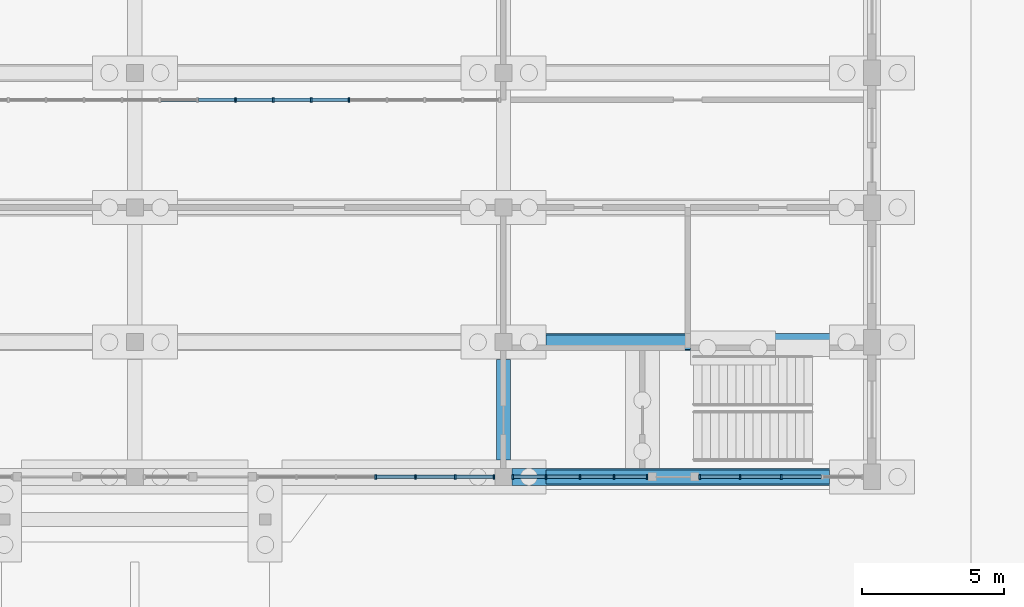
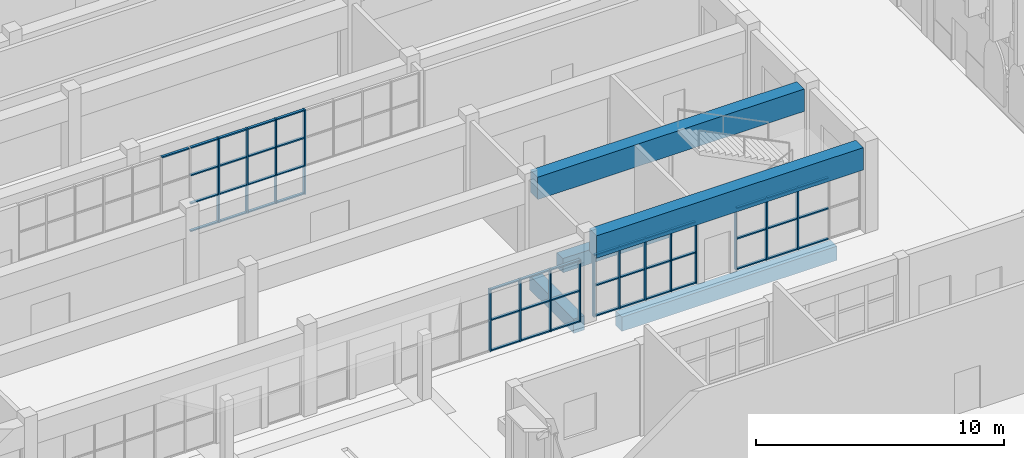
# One storey, part 18 of 161: 63 members, 5 beams, 4 elements without a shape of their own.
"""IFC4 building model written with IfcOpenShell, lengths in metres."""

from ifc_helpers import new_model, si_unit, direction, frame, origin, origin_2d, place, context, subcontext, project, spatial, rectangle, extrude, material, material_profile, profile_set, type_object, element, aggregate, save


model = new_model("IFC4")

# Units and contexts
model_context = context("Model", 3, precision=1e-05, world=origin(), true_north=direction((0.0, 1.0)))
body_context = subcontext(model_context, "Body", "Model", "MODEL_VIEW")
ifc_project = project(units=[si_unit("LENGTHUNIT", "METRE"), si_unit("AREAUNIT", "SQUARE_METRE"), si_unit("VOLUMEUNIT", "CUBIC_METRE"), si_unit("PLANEANGLEUNIT", "RADIAN"), si_unit("MASSUNIT", "GRAM", prefix="KILO")], contexts=[model_context])

# Site, building, storey
site_placement = place(None, origin())
site = spatial("IfcSite", under=ifc_project, at=site_placement, CompositionType="ELEMENT")
building_placement = place(site_placement, origin())
building = spatial("IfcBuilding", under=site, at=building_placement, Name="Elbe Cascade School", CompositionType="ELEMENT")
storey_placement = place(building_placement, origin())
storey = spatial("IfcBuildingStorey", under=building, at=storey_placement, Name="L00", CompositionType="ELEMENT", Elevation=0.0)

# Beams
ifc_material_1 = material(Name="Concrete C30/37", Category="concrete")
ifc_material_profile_1 = material_profile(ifc_material_1, rectangle(XDim=0.5, YDim=0.699951171875, at=origin_2d()), Name="RC 500x700")
ifc_profile_set_1 = profile_set([ifc_material_profile_1], Name="Concrete C30/37")
beam_type_1 = type_object("IfcBeamType", Name="Found ground beam RC 500x700", PredefinedType="BEAM", material=ifc_profile_set_1)
beam_1_placement = place(storey_placement, frame((48.5, 41.0, -0.64990234375), z_axis=(1.0, 0.0, 0.0), x_axis=(0.0, 1.0, 0.0)))
element("IfcBeam", 1, at=beam_1_placement, inside=storey, type_object=beam_type_1, Name="Ground beam 330", PredefinedType="BEAM", context=body_context, shape_type="SweptSolid", body=[
    extrude(rectangle(XDim=0.5, YDim=0.699951171875, at=origin_2d()), origin(), (0.0, 0.0, 1.0), 10.0),
])
beam_2_placement = place(storey_placement, frame((48.5, 45.75, -0.64990234375), z_axis=(1.0, 0.0, 0.0), x_axis=(0.0, 1.0, 0.0)))
element("IfcBeam", 2, at=beam_2_placement, inside=storey, type_object=beam_type_1, Name="Ground beam 334", PredefinedType="BEAM", context=body_context, shape_type="SweptSolid", body=[
    extrude(rectangle(XDim=0.5, YDim=0.699951171875, at=origin_2d()), origin(), (0.0, 0.0, 1.0), 5.10009765625),
])
beam_3_placement = place(storey_placement, frame((47.0, 41.60009765625, -0.64990234375), z_axis=(0.0, 1.0, 0.0), x_axis=(-1.0, 0.0, 0.0)))
element("IfcBeam", 3, at=beam_3_placement, inside=storey, type_object=beam_type_1, Name="Ground beam 367", PredefinedType="BEAM", context=body_context, shape_type="SweptSolid", body=[
    extrude(rectangle(XDim=0.5, YDim=0.699951171875, at=origin_2d()), origin(), (0.0, 0.0, 1.0), 3.5498046875),
])
ifc_material_2 = material(Name="Concrete C35/45", Category="concrete")
ifc_material_profile_2 = material_profile(ifc_material_2, rectangle(XDim=0.60009765625, YDim=1.10009765625, at=origin_2d()), Name="RC 600x1100")
ifc_profile_set_2 = profile_set([ifc_material_profile_2], Name="Concrete C35/45")
beam_type_2 = type_object("IfcBeamType", Name="Hall floor beam RC 600x1100", PredefinedType="BEAM", material=ifc_profile_set_2)
for number, where, z_axis, x_axis, name in (
    (4, (47.300048828125, 41.0, 3.60009765625), (1.0, 0.0, 0.0), (0.0, 1.0, 0.0), "Hall floor beam RC 600x1100 B13"),
    (5, (47.300048828125, 45.75, 3.60009765625), (1.0, 0.0, 0.0), (0.0, 1.0, 0.0), "Hall floor beam RC 600x1100 B13"),
):
    element("IfcBeam", number, at=place(storey_placement, frame(where, z_axis=z_axis, x_axis=x_axis)), inside=storey, type_object=beam_type_2, Name=name, PredefinedType="BEAM", context=body_context, shape_type="SweptSolid", body=[
        extrude(rectangle(XDim=0.60009765625, YDim=1.10009765625, at=origin_2d()), origin(), (0.0, 0.0, 1.0), 12.39990234375),
    ])

# Curtain wall, members
ifc_material_3 = material(Name="Glass - double glazed low-E", Category="glass")
curtain_wall_type = type_object("IfcCurtainWallType", Name="Hall gable curtain wall", PredefinedType="NOTDEFINED", material=ifc_material_3)
curtain_wall_1_placement = place(storey_placement, origin())
curtain_wall_1 = element("IfcCurtainWall", 6, at=curtain_wall_1_placement, inside=storey, type_object=curtain_wall_type, Name="Entrance front curtain wall 6", PredefinedType="NOTDEFINED")
ifc_material_4 = material(Name="Aluminium - bronze anodised", Category="aluminium")
ifc_material_profile_3 = material_profile(ifc_material_4, rectangle(XDim=0.159912109375, YDim=0.06005859375, at=origin_2d()), Name="Alu 60x160")
ifc_profile_set_3 = profile_set([ifc_material_profile_3], Name="Aluminium - bronze anodised")
member_type_1 = type_object("IfcMemberType", Name="Hall gable mullion 60x160", PredefinedType="MULLION", material=ifc_profile_set_3)
member_1_placement = place(storey_placement, frame((42.5, 41.0, 0.0), z_axis=(0.0, 0.0, 1.0), x_axis=(0.0, 1.0, 0.0)))
member_1 = element("IfcMember", 7, at=member_1_placement, type_object=member_type_1, Name="CW6 mullion 4", PredefinedType="MULLION", context=body_context, shape_type="SweptSolid", body=[
    extrude(rectangle(XDim=0.159912109375, YDim=0.06005859375, at=origin_2d()), origin(), (0.0, 0.0, 1.0), 3.050048828125),
])
member_2_placement = place(storey_placement, frame((43.89990234375, 41.0, 0.0), z_axis=(0.0, 0.0, 1.0), x_axis=(0.0, 1.0, 0.0)))
member_2 = element("IfcMember", 8, at=member_2_placement, type_object=member_type_1, Name="CW6 mullion 5", PredefinedType="MULLION", context=body_context, shape_type="SweptSolid", body=[
    extrude(rectangle(XDim=0.159912109375, YDim=0.06005859375, at=origin_2d()), origin(), (0.0, 0.0, 1.0), 3.050048828125),
])
member_3_placement = place(storey_placement, frame((45.300048828125, 41.0, 0.0), z_axis=(0.0, 0.0, 1.0), x_axis=(0.0, 1.0, 0.0)))
member_3 = element("IfcMember", 9, at=member_3_placement, type_object=member_type_1, Name="CW6 mullion 6", PredefinedType="MULLION", context=body_context, shape_type="SweptSolid", body=[
    extrude(rectangle(XDim=0.159912109375, YDim=0.06005859375, at=origin_2d()), origin(), (0.0, 0.0, 1.0), 3.050048828125),
])
member_4_placement = place(storey_placement, frame((46.669921875, 41.0, 0.0), z_axis=(0.0, 0.0, 1.0), x_axis=(0.0, 1.0, 0.0)))
member_4 = element("IfcMember", 10, at=member_4_placement, type_object=member_type_1, Name="CW6 mullion 7", PredefinedType="MULLION", context=body_context, shape_type="SweptSolid", body=[
    extrude(rectangle(XDim=0.159912109375, YDim=0.06005859375, at=origin_2d()), origin(), (0.0, 0.0, 1.0), 3.050048828125),
])

curtain_wall_2_placement = place(storey_placement, origin())
curtain_wall_2 = element("IfcCurtainWall", 11, at=curtain_wall_2_placement, inside=storey, type_object=curtain_wall_type, Name="Entrance front curtain wall 7", PredefinedType="NOTDEFINED")
member_5_placement = place(storey_placement, frame((47.330078125, 41.0, 0.0), z_axis=(0.0, 0.0, 1.0), x_axis=(0.0, 1.0, 0.0)))
member_5 = element("IfcMember", 12, at=member_5_placement, type_object=member_type_1, Name="CW6 mullion 1", PredefinedType="MULLION", context=body_context, shape_type="SweptSolid", body=[
    extrude(rectangle(XDim=0.159912109375, YDim=0.06005859375, at=origin_2d()), origin(), (0.0, 0.0, 1.0), 3.050048828125),
])
member_6_placement = place(storey_placement, frame((48.5, 41.0, 0.0), z_axis=(0.0, 0.0, 1.0), x_axis=(0.0, 1.0, 0.0)))
member_6 = element("IfcMember", 13, at=member_6_placement, type_object=member_type_1, Name="CW6 mullion 2", PredefinedType="MULLION", context=body_context, shape_type="SweptSolid", body=[
    extrude(rectangle(XDim=0.159912109375, YDim=0.06005859375, at=origin_2d()), origin(), (0.0, 0.0, 1.0), 3.050048828125),
])
member_7_placement = place(storey_placement, frame((49.699951171875, 41.0, 0.0), z_axis=(0.0, 0.0, 1.0), x_axis=(0.0, 1.0, 0.0)))
member_7 = element("IfcMember", 14, at=member_7_placement, type_object=member_type_1, Name="CW6 mullion 3", PredefinedType="MULLION", context=body_context, shape_type="SweptSolid", body=[
    extrude(rectangle(XDim=0.159912109375, YDim=0.06005859375, at=origin_2d()), origin(), (0.0, 0.0, 1.0), 3.050048828125),
])
member_8_placement = place(storey_placement, frame((50.89990234375, 41.0, 0.0), z_axis=(0.0, 0.0, 1.0), x_axis=(0.0, 1.0, 0.0)))
member_8 = element("IfcMember", 15, at=member_8_placement, type_object=member_type_1, Name="CW6 mullion 4", PredefinedType="MULLION", context=body_context, shape_type="SweptSolid", body=[
    extrude(rectangle(XDim=0.159912109375, YDim=0.06005859375, at=origin_2d()), origin(), (0.0, 0.0, 1.0), 3.050048828125),
])
member_9_placement = place(storey_placement, frame((52.070068359375, 41.0, 0.0), z_axis=(0.0, 0.0, 1.0), x_axis=(0.0, 1.0, 0.0)))
member_9 = element("IfcMember", 16, at=member_9_placement, type_object=member_type_1, Name="CW6 mullion 5", PredefinedType="MULLION", context=body_context, shape_type="SweptSolid", body=[
    extrude(rectangle(XDim=0.159912109375, YDim=0.06005859375, at=origin_2d()), origin(), (0.0, 0.0, 1.0), 3.050048828125),
])

curtain_wall_3_placement = place(storey_placement, origin())
curtain_wall_3 = element("IfcCurtainWall", 17, at=curtain_wall_3_placement, inside=storey, type_object=curtain_wall_type, Name="Entrance front curtain wall 8", PredefinedType="NOTDEFINED")
member_10_placement = place(storey_placement, frame((53.929931640625, 41.0, 0.0), z_axis=(0.0, 0.0, 1.0), x_axis=(0.0, 1.0, 0.0)))
member_10 = element("IfcMember", 18, at=member_10_placement, type_object=member_type_1, Name="CW6 mullion 1", PredefinedType="MULLION", context=body_context, shape_type="SweptSolid", body=[
    extrude(rectangle(XDim=0.159912109375, YDim=0.06005859375, at=origin_2d()), origin(), (0.0, 0.0, 1.0), 3.050048828125),
])
member_11_placement = place(storey_placement, frame((55.35009765625, 41.0, 0.0), z_axis=(0.0, 0.0, 1.0), x_axis=(0.0, 1.0, 0.0)))
member_11 = element("IfcMember", 19, at=member_11_placement, type_object=member_type_1, Name="CW6 mullion 2", PredefinedType="MULLION", context=body_context, shape_type="SweptSolid", body=[
    extrude(rectangle(XDim=0.159912109375, YDim=0.06005859375, at=origin_2d()), origin(), (0.0, 0.0, 1.0), 3.050048828125),
])
member_12_placement = place(storey_placement, frame((56.800048828125, 41.0, 0.0), z_axis=(0.0, 0.0, 1.0), x_axis=(0.0, 1.0, 0.0)))
member_12 = element("IfcMember", 20, at=member_12_placement, type_object=member_type_1, Name="CW6 mullion 3", PredefinedType="MULLION", context=body_context, shape_type="SweptSolid", body=[
    extrude(rectangle(XDim=0.159912109375, YDim=0.06005859375, at=origin_2d()), origin(), (0.0, 0.0, 1.0), 3.050048828125),
])

curtain_wall_4_placement = place(storey_placement, origin())
curtain_wall_4 = element("IfcCurtainWall", 21, at=curtain_wall_4_placement, inside=storey, type_object=curtain_wall_type, Name="Studio front curtain wall 2", PredefinedType="NOTDEFINED")
member_13_placement = place(storey_placement, frame((37.550048828125, 54.300048828125, 0.0), z_axis=(0.0, 0.0, 1.0), x_axis=(0.0, 1.0, 0.0)))
member_13 = element("IfcMember", 22, at=member_13_placement, type_object=member_type_1, Name="CW6 mullion 8", PredefinedType="MULLION", context=body_context, shape_type="SweptSolid", body=[
    extrude(rectangle(XDim=0.159912109375, YDim=0.06005859375, at=origin_2d()), origin(), (0.0, 0.0, 1.0), 4.14990234375),
])
member_14_placement = place(storey_placement, frame((38.8857421875, 54.300048828125, 0.0), z_axis=(0.0, 0.0, 1.0), x_axis=(0.0, 1.0, 0.0)))
member_14 = element("IfcMember", 23, at=member_14_placement, type_object=member_type_1, Name="CW6 mullion 9", PredefinedType="MULLION", context=body_context, shape_type="SweptSolid", body=[
    extrude(rectangle(XDim=0.159912109375, YDim=0.06005859375, at=origin_2d()), origin(), (0.0, 0.0, 1.0), 4.14990234375),
])
member_15_placement = place(storey_placement, frame((40.221435546875, 54.300048828125, 0.0), z_axis=(0.0, 0.0, 1.0), x_axis=(0.0, 1.0, 0.0)))
member_15 = element("IfcMember", 24, at=member_15_placement, type_object=member_type_1, Name="CW6 mullion 10", PredefinedType="MULLION", context=body_context, shape_type="SweptSolid", body=[
    extrude(rectangle(XDim=0.159912109375, YDim=0.06005859375, at=origin_2d()), origin(), (0.0, 0.0, 1.0), 4.14990234375),
])
member_16_placement = place(storey_placement, frame((41.55712890625, 54.300048828125, 0.0), z_axis=(0.0, 0.0, 1.0), x_axis=(0.0, 1.0, 0.0)))
member_16 = element("IfcMember", 25, at=member_16_placement, type_object=member_type_1, Name="CW6 mullion 11", PredefinedType="MULLION", context=body_context, shape_type="SweptSolid", body=[
    extrude(rectangle(XDim=0.159912109375, YDim=0.06005859375, at=origin_2d()), origin(), (0.0, 0.0, 1.0), 4.14990234375),
])

# Member
ifc_material_5 = material(Name="Aluminium - bronze anodised", Category="aluminium")
ifc_material_profile_4 = material_profile(ifc_material_5, rectangle(XDim=0.1201171875, YDim=0.06005859375, at=origin_2d()), Name="Alu 60x120")
ifc_profile_set_4 = profile_set([ifc_material_profile_4], Name="Aluminium - bronze anodised")
member_type_2 = type_object("IfcMemberType", Name="Hall gable transom 60x120", PredefinedType="USERDEFINED", material=ifc_profile_set_4)
member_17_placement = place(storey_placement, frame((42.530029296875, 41.0, 0.030029296875), z_axis=(1.0, 0.0, 0.0), x_axis=(0.0, 1.0, 0.0)))
member_17 = element("IfcMember", 26, at=member_17_placement, type_object=member_type_2, Name="CW6 transom 4.1", ObjectType="TRANSOM", PredefinedType="USERDEFINED", context=body_context, shape_type="SweptSolid", body=[
    extrude(rectangle(XDim=0.1201171875, YDim=0.06005859375, at=origin_2d()), origin(), (0.0, 0.0, 1.0), 1.340087890625),
])

member_18_placement = place(storey_placement, frame((42.530029296875, 41.0, 1.52490234375), z_axis=(1.0, 0.0, 0.0), x_axis=(0.0, 1.0, 0.0)))
member_18 = element("IfcMember", 27, at=member_18_placement, type_object=member_type_2, Name="CW6 transom 4.2", ObjectType="TRANSOM", PredefinedType="USERDEFINED", context=body_context, shape_type="SweptSolid", body=[
    extrude(rectangle(XDim=0.1201171875, YDim=0.06005859375, at=origin_2d()), origin(), (0.0, 0.0, 1.0), 1.340087890625),
])

member_19_placement = place(storey_placement, frame((42.530029296875, 41.0, 3.02001953125), z_axis=(1.0, 0.0, 0.0), x_axis=(0.0, 1.0, 0.0)))
member_19 = element("IfcMember", 28, at=member_19_placement, type_object=member_type_2, Name="CW6 transom 4.3", ObjectType="TRANSOM", PredefinedType="USERDEFINED", context=body_context, shape_type="SweptSolid", body=[
    extrude(rectangle(XDim=0.1201171875, YDim=0.06005859375, at=origin_2d()), origin(), (0.0, 0.0, 1.0), 1.340087890625),
])

member_20_placement = place(storey_placement, frame((43.929931640625, 41.0, 0.030029296875), z_axis=(1.0, 0.0, 0.0), x_axis=(0.0, 1.0, 0.0)))
member_20 = element("IfcMember", 29, at=member_20_placement, type_object=member_type_2, Name="CW6 transom 5.1", ObjectType="TRANSOM", PredefinedType="USERDEFINED", context=body_context, shape_type="SweptSolid", body=[
    extrude(rectangle(XDim=0.1201171875, YDim=0.06005859375, at=origin_2d()), origin(), (0.0, 0.0, 1.0), 1.340087890625),
])

member_21_placement = place(storey_placement, frame((43.929931640625, 41.0, 1.52490234375), z_axis=(1.0, 0.0, 0.0), x_axis=(0.0, 1.0, 0.0)))
member_21 = element("IfcMember", 30, at=member_21_placement, type_object=member_type_2, Name="CW6 transom 5.2", ObjectType="TRANSOM", PredefinedType="USERDEFINED", context=body_context, shape_type="SweptSolid", body=[
    extrude(rectangle(XDim=0.1201171875, YDim=0.06005859375, at=origin_2d()), origin(), (0.0, 0.0, 1.0), 1.340087890625),
])

member_22_placement = place(storey_placement, frame((43.929931640625, 41.0, 3.02001953125), z_axis=(1.0, 0.0, 0.0), x_axis=(0.0, 1.0, 0.0)))
member_22 = element("IfcMember", 31, at=member_22_placement, type_object=member_type_2, Name="CW6 transom 5.3", ObjectType="TRANSOM", PredefinedType="USERDEFINED", context=body_context, shape_type="SweptSolid", body=[
    extrude(rectangle(XDim=0.1201171875, YDim=0.06005859375, at=origin_2d()), origin(), (0.0, 0.0, 1.0), 1.340087890625),
])

member_23_placement = place(storey_placement, frame((45.330078125, 41.0, 0.030029296875), z_axis=(1.0, 0.0, 0.0), x_axis=(0.0, 1.0, 0.0)))
member_23 = element("IfcMember", 32, at=member_23_placement, type_object=member_type_2, Name="CW6 transom 6.1", ObjectType="TRANSOM", PredefinedType="USERDEFINED", context=body_context, shape_type="SweptSolid", body=[
    extrude(rectangle(XDim=0.1201171875, YDim=0.06005859375, at=origin_2d()), origin(), (0.0, 0.0, 1.0), 1.309814453125),
])

member_24_placement = place(storey_placement, frame((45.330078125, 41.0, 1.52490234375), z_axis=(1.0, 0.0, 0.0), x_axis=(0.0, 1.0, 0.0)))
member_24 = element("IfcMember", 33, at=member_24_placement, type_object=member_type_2, Name="CW6 transom 6.2", ObjectType="TRANSOM", PredefinedType="USERDEFINED", context=body_context, shape_type="SweptSolid", body=[
    extrude(rectangle(XDim=0.1201171875, YDim=0.06005859375, at=origin_2d()), origin(), (0.0, 0.0, 1.0), 1.309814453125),
])

member_25_placement = place(storey_placement, frame((45.330078125, 41.0, 3.02001953125), z_axis=(1.0, 0.0, 0.0), x_axis=(0.0, 1.0, 0.0)))
member_25 = element("IfcMember", 34, at=member_25_placement, type_object=member_type_2, Name="CW6 transom 6.3", ObjectType="TRANSOM", PredefinedType="USERDEFINED", context=body_context, shape_type="SweptSolid", body=[
    extrude(rectangle(XDim=0.1201171875, YDim=0.06005859375, at=origin_2d()), origin(), (0.0, 0.0, 1.0), 1.309814453125),
])

aggregate(curtain_wall_1, [member_1, member_2, member_3, member_4, member_17, member_18, member_19, member_20, member_21, member_22, member_23, member_24, member_25])

member_26_placement = place(storey_placement, frame((47.360107421875, 41.0, 0.030029296875), z_axis=(1.0, 0.0, 0.0), x_axis=(0.0, 1.0, 0.0)))
member_26 = element("IfcMember", 35, at=member_26_placement, type_object=member_type_2, Name="CW6 transom 1.1", ObjectType="TRANSOM", PredefinedType="USERDEFINED", context=body_context, shape_type="SweptSolid", body=[
    extrude(rectangle(XDim=0.1201171875, YDim=0.06005859375, at=origin_2d()), origin(), (0.0, 0.0, 1.0), 1.10986328125),
])

member_27_placement = place(storey_placement, frame((47.360107421875, 41.0, 1.52490234375), z_axis=(1.0, 0.0, 0.0), x_axis=(0.0, 1.0, 0.0)))
member_27 = element("IfcMember", 36, at=member_27_placement, type_object=member_type_2, Name="CW6 transom 1.2", ObjectType="TRANSOM", PredefinedType="USERDEFINED", context=body_context, shape_type="SweptSolid", body=[
    extrude(rectangle(XDim=0.1201171875, YDim=0.06005859375, at=origin_2d()), origin(), (0.0, 0.0, 1.0), 1.10986328125),
])

member_28_placement = place(storey_placement, frame((47.360107421875, 41.0, 3.02001953125), z_axis=(1.0, 0.0, 0.0), x_axis=(0.0, 1.0, 0.0)))
member_28 = element("IfcMember", 37, at=member_28_placement, type_object=member_type_2, Name="CW6 transom 1.3", ObjectType="TRANSOM", PredefinedType="USERDEFINED", context=body_context, shape_type="SweptSolid", body=[
    extrude(rectangle(XDim=0.1201171875, YDim=0.06005859375, at=origin_2d()), origin(), (0.0, 0.0, 1.0), 1.10986328125),
])

member_29_placement = place(storey_placement, frame((48.530029296875, 41.0, 0.030029296875), z_axis=(1.0, 0.0, 0.0), x_axis=(0.0, 1.0, 0.0)))
member_29 = element("IfcMember", 38, at=member_29_placement, type_object=member_type_2, Name="CW6 transom 2.1", ObjectType="TRANSOM", PredefinedType="USERDEFINED", context=body_context, shape_type="SweptSolid", body=[
    extrude(rectangle(XDim=0.1201171875, YDim=0.06005859375, at=origin_2d()), origin(), (0.0, 0.0, 1.0), 1.139892578125),
])

member_30_placement = place(storey_placement, frame((48.530029296875, 41.0, 1.52490234375), z_axis=(1.0, 0.0, 0.0), x_axis=(0.0, 1.0, 0.0)))
member_30 = element("IfcMember", 39, at=member_30_placement, type_object=member_type_2, Name="CW6 transom 2.2", ObjectType="TRANSOM", PredefinedType="USERDEFINED", context=body_context, shape_type="SweptSolid", body=[
    extrude(rectangle(XDim=0.1201171875, YDim=0.06005859375, at=origin_2d()), origin(), (0.0, 0.0, 1.0), 1.139892578125),
])

member_31_placement = place(storey_placement, frame((48.530029296875, 41.0, 3.02001953125), z_axis=(1.0, 0.0, 0.0), x_axis=(0.0, 1.0, 0.0)))
member_31 = element("IfcMember", 40, at=member_31_placement, type_object=member_type_2, Name="CW6 transom 2.3", ObjectType="TRANSOM", PredefinedType="USERDEFINED", context=body_context, shape_type="SweptSolid", body=[
    extrude(rectangle(XDim=0.1201171875, YDim=0.06005859375, at=origin_2d()), origin(), (0.0, 0.0, 1.0), 1.139892578125),
])

member_32_placement = place(storey_placement, frame((49.72998046875, 41.0, 0.030029296875), z_axis=(1.0, 0.0, 0.0), x_axis=(0.0, 1.0, 0.0)))
member_32 = element("IfcMember", 41, at=member_32_placement, type_object=member_type_2, Name="CW6 transom 3.1", ObjectType="TRANSOM", PredefinedType="USERDEFINED", context=body_context, shape_type="SweptSolid", body=[
    extrude(rectangle(XDim=0.1201171875, YDim=0.06005859375, at=origin_2d()), origin(), (0.0, 0.0, 1.0), 1.14013671875),
])

member_33_placement = place(storey_placement, frame((49.72998046875, 41.0, 1.52490234375), z_axis=(1.0, 0.0, 0.0), x_axis=(0.0, 1.0, 0.0)))
member_33 = element("IfcMember", 42, at=member_33_placement, type_object=member_type_2, Name="CW6 transom 3.2", ObjectType="TRANSOM", PredefinedType="USERDEFINED", context=body_context, shape_type="SweptSolid", body=[
    extrude(rectangle(XDim=0.1201171875, YDim=0.06005859375, at=origin_2d()), origin(), (0.0, 0.0, 1.0), 1.14013671875),
])

member_34_placement = place(storey_placement, frame((49.72998046875, 41.0, 3.02001953125), z_axis=(1.0, 0.0, 0.0), x_axis=(0.0, 1.0, 0.0)))
member_34 = element("IfcMember", 43, at=member_34_placement, type_object=member_type_2, Name="CW6 transom 3.3", ObjectType="TRANSOM", PredefinedType="USERDEFINED", context=body_context, shape_type="SweptSolid", body=[
    extrude(rectangle(XDim=0.1201171875, YDim=0.06005859375, at=origin_2d()), origin(), (0.0, 0.0, 1.0), 1.14013671875),
])

member_35_placement = place(storey_placement, frame((50.929931640625, 41.0, 0.030029296875), z_axis=(1.0, 0.0, 0.0), x_axis=(0.0, 1.0, 0.0)))
member_35 = element("IfcMember", 44, at=member_35_placement, type_object=member_type_2, Name="CW6 transom 4.1", ObjectType="TRANSOM", PredefinedType="USERDEFINED", context=body_context, shape_type="SweptSolid", body=[
    extrude(rectangle(XDim=0.1201171875, YDim=0.06005859375, at=origin_2d()), origin(), (0.0, 0.0, 1.0), 1.110107421875),
])

member_36_placement = place(storey_placement, frame((50.929931640625, 41.0, 1.52490234375), z_axis=(1.0, 0.0, 0.0), x_axis=(0.0, 1.0, 0.0)))
member_36 = element("IfcMember", 45, at=member_36_placement, type_object=member_type_2, Name="CW6 transom 4.2", ObjectType="TRANSOM", PredefinedType="USERDEFINED", context=body_context, shape_type="SweptSolid", body=[
    extrude(rectangle(XDim=0.1201171875, YDim=0.06005859375, at=origin_2d()), origin(), (0.0, 0.0, 1.0), 1.110107421875),
])

member_37_placement = place(storey_placement, frame((50.929931640625, 41.0, 3.02001953125), z_axis=(1.0, 0.0, 0.0), x_axis=(0.0, 1.0, 0.0)))
member_37 = element("IfcMember", 46, at=member_37_placement, type_object=member_type_2, Name="CW6 transom 4.3", ObjectType="TRANSOM", PredefinedType="USERDEFINED", context=body_context, shape_type="SweptSolid", body=[
    extrude(rectangle(XDim=0.1201171875, YDim=0.06005859375, at=origin_2d()), origin(), (0.0, 0.0, 1.0), 1.110107421875),
])

aggregate(curtain_wall_2, [member_5, member_6, member_7, member_8, member_9, member_26, member_27, member_28, member_29, member_30, member_31, member_32, member_33, member_34, member_35, member_36, member_37])

member_38_placement = place(storey_placement, frame((53.9599609375, 41.0, 0.030029296875), z_axis=(1.0, 0.0, 0.0), x_axis=(0.0, 1.0, 0.0)))
member_38 = element("IfcMember", 47, at=member_38_placement, type_object=member_type_2, Name="CW6 transom 1.1", ObjectType="TRANSOM", PredefinedType="USERDEFINED", context=body_context, shape_type="SweptSolid", body=[
    extrude(rectangle(XDim=0.1201171875, YDim=0.06005859375, at=origin_2d()), origin(), (0.0, 0.0, 1.0), 1.360107421875),
])

member_39_placement = place(storey_placement, frame((53.9599609375, 41.0, 1.52490234375), z_axis=(1.0, 0.0, 0.0), x_axis=(0.0, 1.0, 0.0)))
member_39 = element("IfcMember", 48, at=member_39_placement, type_object=member_type_2, Name="CW6 transom 1.2", ObjectType="TRANSOM", PredefinedType="USERDEFINED", context=body_context, shape_type="SweptSolid", body=[
    extrude(rectangle(XDim=0.1201171875, YDim=0.06005859375, at=origin_2d()), origin(), (0.0, 0.0, 1.0), 1.360107421875),
])

member_40_placement = place(storey_placement, frame((53.9599609375, 41.0, 3.02001953125), z_axis=(1.0, 0.0, 0.0), x_axis=(0.0, 1.0, 0.0)))
member_40 = element("IfcMember", 49, at=member_40_placement, type_object=member_type_2, Name="CW6 transom 1.3", ObjectType="TRANSOM", PredefinedType="USERDEFINED", context=body_context, shape_type="SweptSolid", body=[
    extrude(rectangle(XDim=0.1201171875, YDim=0.06005859375, at=origin_2d()), origin(), (0.0, 0.0, 1.0), 1.360107421875),
])

member_41_placement = place(storey_placement, frame((55.3798828125, 41.0, 0.030029296875), z_axis=(1.0, 0.0, 0.0), x_axis=(0.0, 1.0, 0.0)))
member_41 = element("IfcMember", 50, at=member_41_placement, type_object=member_type_2, Name="CW6 transom 2.1", ObjectType="TRANSOM", PredefinedType="USERDEFINED", context=body_context, shape_type="SweptSolid", body=[
    extrude(rectangle(XDim=0.1201171875, YDim=0.06005859375, at=origin_2d()), origin(), (0.0, 0.0, 1.0), 1.39013671875),
])

member_42_placement = place(storey_placement, frame((55.3798828125, 41.0, 1.52490234375), z_axis=(1.0, 0.0, 0.0), x_axis=(0.0, 1.0, 0.0)))
member_42 = element("IfcMember", 51, at=member_42_placement, type_object=member_type_2, Name="CW6 transom 2.2", ObjectType="TRANSOM", PredefinedType="USERDEFINED", context=body_context, shape_type="SweptSolid", body=[
    extrude(rectangle(XDim=0.1201171875, YDim=0.06005859375, at=origin_2d()), origin(), (0.0, 0.0, 1.0), 1.39013671875),
])

member_43_placement = place(storey_placement, frame((55.3798828125, 41.0, 3.02001953125), z_axis=(1.0, 0.0, 0.0), x_axis=(0.0, 1.0, 0.0)))
member_43 = element("IfcMember", 52, at=member_43_placement, type_object=member_type_2, Name="CW6 transom 2.3", ObjectType="TRANSOM", PredefinedType="USERDEFINED", context=body_context, shape_type="SweptSolid", body=[
    extrude(rectangle(XDim=0.1201171875, YDim=0.06005859375, at=origin_2d()), origin(), (0.0, 0.0, 1.0), 1.39013671875),
])

member_44_placement = place(storey_placement, frame((56.830078125, 41.0, 0.030029296875), z_axis=(1.0, 0.0, 0.0), x_axis=(0.0, 1.0, 0.0)))
member_44 = element("IfcMember", 53, at=member_44_placement, type_object=member_type_2, Name="CW6 transom 3.1", ObjectType="TRANSOM", PredefinedType="USERDEFINED", context=body_context, shape_type="SweptSolid", body=[
    extrude(rectangle(XDim=0.1201171875, YDim=0.06005859375, at=origin_2d()), origin(), (0.0, 0.0, 1.0), 1.389892578125),
])

member_45_placement = place(storey_placement, frame((56.830078125, 41.0, 1.52490234375), z_axis=(1.0, 0.0, 0.0), x_axis=(0.0, 1.0, 0.0)))
member_45 = element("IfcMember", 54, at=member_45_placement, type_object=member_type_2, Name="CW6 transom 3.2", ObjectType="TRANSOM", PredefinedType="USERDEFINED", context=body_context, shape_type="SweptSolid", body=[
    extrude(rectangle(XDim=0.1201171875, YDim=0.06005859375, at=origin_2d()), origin(), (0.0, 0.0, 1.0), 1.389892578125),
])

member_46_placement = place(storey_placement, frame((56.830078125, 41.0, 3.02001953125), z_axis=(1.0, 0.0, 0.0), x_axis=(0.0, 1.0, 0.0)))
member_46 = element("IfcMember", 55, at=member_46_placement, type_object=member_type_2, Name="CW6 transom 3.3", ObjectType="TRANSOM", PredefinedType="USERDEFINED", context=body_context, shape_type="SweptSolid", body=[
    extrude(rectangle(XDim=0.1201171875, YDim=0.06005859375, at=origin_2d()), origin(), (0.0, 0.0, 1.0), 1.389892578125),
])

aggregate(curtain_wall_3, [member_10, member_11, member_12, member_38, member_39, member_40, member_41, member_42, member_43, member_44, member_45, member_46])

member_47_placement = place(storey_placement, frame((34.90869140625, 54.300048828125, 4.1201171875), z_axis=(1.0, 0.0, 0.0), x_axis=(0.0, 1.0, 0.0)))
member_47 = element("IfcMember", 56, at=member_47_placement, type_object=member_type_2, Name="CW6 transom 6.4", ObjectType="TRANSOM", PredefinedType="USERDEFINED", context=body_context, shape_type="SweptSolid", body=[
    extrude(rectangle(XDim=0.1201171875, YDim=0.06005859375, at=origin_2d()), origin(), (0.0, 0.0, 1.0), 1.275634765625),
])

member_48_placement = place(storey_placement, frame((36.244384765625, 54.300048828125, 0.030029296875), z_axis=(1.0, 0.0, 0.0), x_axis=(0.0, 1.0, 0.0)))
member_48 = element("IfcMember", 57, at=member_48_placement, type_object=member_type_2, Name="CW6 transom 7.1", ObjectType="TRANSOM", PredefinedType="USERDEFINED", context=body_context, shape_type="SweptSolid", body=[
    extrude(rectangle(XDim=0.1201171875, YDim=0.06005859375, at=origin_2d()), origin(), (0.0, 0.0, 1.0), 1.275634765625),
])

member_49_placement = place(storey_placement, frame((36.244384765625, 54.300048828125, 1.38330078125), z_axis=(1.0, 0.0, 0.0), x_axis=(0.0, 1.0, 0.0)))
member_49 = element("IfcMember", 58, at=member_49_placement, type_object=member_type_2, Name="CW6 transom 7.2", ObjectType="TRANSOM", PredefinedType="USERDEFINED", context=body_context, shape_type="SweptSolid", body=[
    extrude(rectangle(XDim=0.1201171875, YDim=0.06005859375, at=origin_2d()), origin(), (0.0, 0.0, 1.0), 1.275634765625),
])

member_50_placement = place(storey_placement, frame((36.244384765625, 54.300048828125, 2.7666015625), z_axis=(1.0, 0.0, 0.0), x_axis=(0.0, 1.0, 0.0)))
member_50 = element("IfcMember", 59, at=member_50_placement, type_object=member_type_2, Name="CW6 transom 7.3", ObjectType="TRANSOM", PredefinedType="USERDEFINED", context=body_context, shape_type="SweptSolid", body=[
    extrude(rectangle(XDim=0.1201171875, YDim=0.06005859375, at=origin_2d()), origin(), (0.0, 0.0, 1.0), 1.275634765625),
])

member_51_placement = place(storey_placement, frame((36.244384765625, 54.300048828125, 4.1201171875), z_axis=(1.0, 0.0, 0.0), x_axis=(0.0, 1.0, 0.0)))
member_51 = element("IfcMember", 60, at=member_51_placement, type_object=member_type_2, Name="CW6 transom 7.4", ObjectType="TRANSOM", PredefinedType="USERDEFINED", context=body_context, shape_type="SweptSolid", body=[
    extrude(rectangle(XDim=0.1201171875, YDim=0.06005859375, at=origin_2d()), origin(), (0.0, 0.0, 1.0), 1.275634765625),
])

member_52_placement = place(storey_placement, frame((37.580078125, 54.300048828125, 0.030029296875), z_axis=(1.0, 0.0, 0.0), x_axis=(0.0, 1.0, 0.0)))
member_52 = element("IfcMember", 61, at=member_52_placement, type_object=member_type_2, Name="CW6 transom 8.1", ObjectType="TRANSOM", PredefinedType="USERDEFINED", context=body_context, shape_type="SweptSolid", body=[
    extrude(rectangle(XDim=0.1201171875, YDim=0.06005859375, at=origin_2d()), origin(), (0.0, 0.0, 1.0), 1.275634765625),
])

member_53_placement = place(storey_placement, frame((37.580078125, 54.300048828125, 1.38330078125), z_axis=(1.0, 0.0, 0.0), x_axis=(0.0, 1.0, 0.0)))
member_53 = element("IfcMember", 62, at=member_53_placement, type_object=member_type_2, Name="CW6 transom 8.2", ObjectType="TRANSOM", PredefinedType="USERDEFINED", context=body_context, shape_type="SweptSolid", body=[
    extrude(rectangle(XDim=0.1201171875, YDim=0.06005859375, at=origin_2d()), origin(), (0.0, 0.0, 1.0), 1.275634765625),
])

member_54_placement = place(storey_placement, frame((37.580078125, 54.300048828125, 2.7666015625), z_axis=(1.0, 0.0, 0.0), x_axis=(0.0, 1.0, 0.0)))
member_54 = element("IfcMember", 63, at=member_54_placement, type_object=member_type_2, Name="CW6 transom 8.3", ObjectType="TRANSOM", PredefinedType="USERDEFINED", context=body_context, shape_type="SweptSolid", body=[
    extrude(rectangle(XDim=0.1201171875, YDim=0.06005859375, at=origin_2d()), origin(), (0.0, 0.0, 1.0), 1.275634765625),
])

member_55_placement = place(storey_placement, frame((37.580078125, 54.300048828125, 4.1201171875), z_axis=(1.0, 0.0, 0.0), x_axis=(0.0, 1.0, 0.0)))
member_55 = element("IfcMember", 64, at=member_55_placement, type_object=member_type_2, Name="CW6 transom 8.4", ObjectType="TRANSOM", PredefinedType="USERDEFINED", context=body_context, shape_type="SweptSolid", body=[
    extrude(rectangle(XDim=0.1201171875, YDim=0.06005859375, at=origin_2d()), origin(), (0.0, 0.0, 1.0), 1.275634765625),
])

member_56_placement = place(storey_placement, frame((38.915771484375, 54.300048828125, 0.030029296875), z_axis=(1.0, 0.0, 0.0), x_axis=(0.0, 1.0, 0.0)))
member_56 = element("IfcMember", 65, at=member_56_placement, type_object=member_type_2, Name="CW6 transom 9.1", ObjectType="TRANSOM", PredefinedType="USERDEFINED", context=body_context, shape_type="SweptSolid", body=[
    extrude(rectangle(XDim=0.1201171875, YDim=0.06005859375, at=origin_2d()), origin(), (0.0, 0.0, 1.0), 1.275634765625),
])

member_57_placement = place(storey_placement, frame((38.915771484375, 54.300048828125, 1.38330078125), z_axis=(1.0, 0.0, 0.0), x_axis=(0.0, 1.0, 0.0)))
member_57 = element("IfcMember", 66, at=member_57_placement, type_object=member_type_2, Name="CW6 transom 9.2", ObjectType="TRANSOM", PredefinedType="USERDEFINED", context=body_context, shape_type="SweptSolid", body=[
    extrude(rectangle(XDim=0.1201171875, YDim=0.06005859375, at=origin_2d()), origin(), (0.0, 0.0, 1.0), 1.275634765625),
])

member_58_placement = place(storey_placement, frame((38.915771484375, 54.300048828125, 2.7666015625), z_axis=(1.0, 0.0, 0.0), x_axis=(0.0, 1.0, 0.0)))
member_58 = element("IfcMember", 67, at=member_58_placement, type_object=member_type_2, Name="CW6 transom 9.3", ObjectType="TRANSOM", PredefinedType="USERDEFINED", context=body_context, shape_type="SweptSolid", body=[
    extrude(rectangle(XDim=0.1201171875, YDim=0.06005859375, at=origin_2d()), origin(), (0.0, 0.0, 1.0), 1.275634765625),
])

member_59_placement = place(storey_placement, frame((38.915771484375, 54.300048828125, 4.1201171875), z_axis=(1.0, 0.0, 0.0), x_axis=(0.0, 1.0, 0.0)))
member_59 = element("IfcMember", 68, at=member_59_placement, type_object=member_type_2, Name="CW6 transom 9.4", ObjectType="TRANSOM", PredefinedType="USERDEFINED", context=body_context, shape_type="SweptSolid", body=[
    extrude(rectangle(XDim=0.1201171875, YDim=0.06005859375, at=origin_2d()), origin(), (0.0, 0.0, 1.0), 1.275634765625),
])

member_60_placement = place(storey_placement, frame((40.25146484375, 54.300048828125, 0.030029296875), z_axis=(1.0, 0.0, 0.0), x_axis=(0.0, 1.0, 0.0)))
member_60 = element("IfcMember", 69, at=member_60_placement, type_object=member_type_2, Name="CW6 transom 10.1", ObjectType="TRANSOM", PredefinedType="USERDEFINED", context=body_context, shape_type="SweptSolid", body=[
    extrude(rectangle(XDim=0.1201171875, YDim=0.06005859375, at=origin_2d()), origin(), (0.0, 0.0, 1.0), 1.275634765625),
])

member_61_placement = place(storey_placement, frame((40.25146484375, 54.300048828125, 1.38330078125), z_axis=(1.0, 0.0, 0.0), x_axis=(0.0, 1.0, 0.0)))
member_61 = element("IfcMember", 70, at=member_61_placement, type_object=member_type_2, Name="CW6 transom 10.2", ObjectType="TRANSOM", PredefinedType="USERDEFINED", context=body_context, shape_type="SweptSolid", body=[
    extrude(rectangle(XDim=0.1201171875, YDim=0.06005859375, at=origin_2d()), origin(), (0.0, 0.0, 1.0), 1.275634765625),
])

member_62_placement = place(storey_placement, frame((40.25146484375, 54.300048828125, 2.7666015625), z_axis=(1.0, 0.0, 0.0), x_axis=(0.0, 1.0, 0.0)))
member_62 = element("IfcMember", 71, at=member_62_placement, type_object=member_type_2, Name="CW6 transom 10.3", ObjectType="TRANSOM", PredefinedType="USERDEFINED", context=body_context, shape_type="SweptSolid", body=[
    extrude(rectangle(XDim=0.1201171875, YDim=0.06005859375, at=origin_2d()), origin(), (0.0, 0.0, 1.0), 1.275634765625),
])

member_63_placement = place(storey_placement, frame((40.25146484375, 54.300048828125, 4.1201171875), z_axis=(1.0, 0.0, 0.0), x_axis=(0.0, 1.0, 0.0)))
member_63 = element("IfcMember", 72, at=member_63_placement, type_object=member_type_2, Name="CW6 transom 10.4", ObjectType="TRANSOM", PredefinedType="USERDEFINED", context=body_context, shape_type="SweptSolid", body=[
    extrude(rectangle(XDim=0.1201171875, YDim=0.06005859375, at=origin_2d()), origin(), (0.0, 0.0, 1.0), 1.275634765625),
])

aggregate(curtain_wall_4, [member_13, member_14, member_15, member_16, member_47, member_48, member_49, member_50, member_51, member_52, member_53, member_54, member_55, member_56, member_57, member_58, member_59, member_60, member_61, member_62, member_63])

save(model, "model.ifc")
